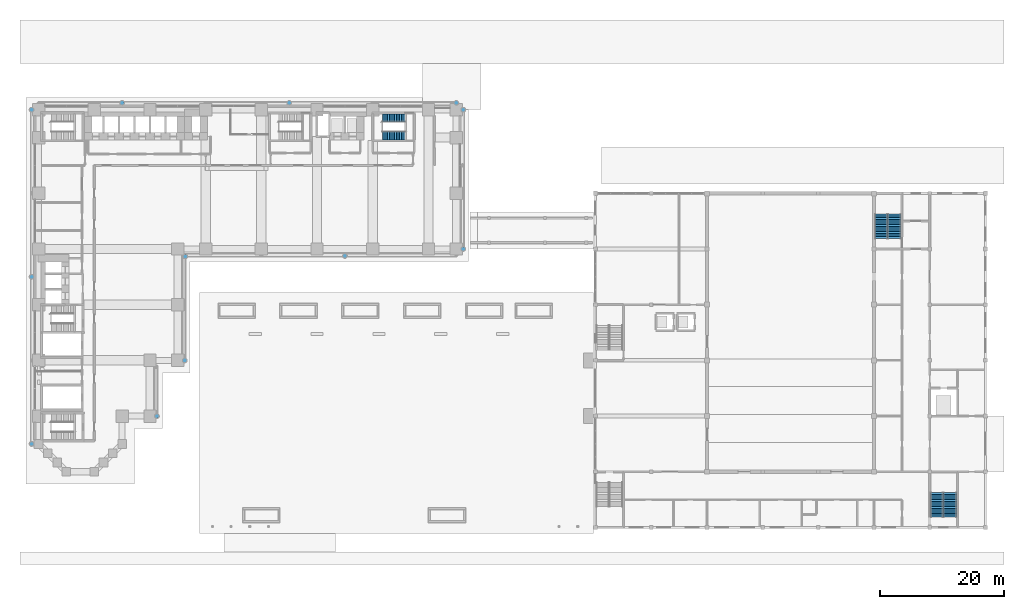
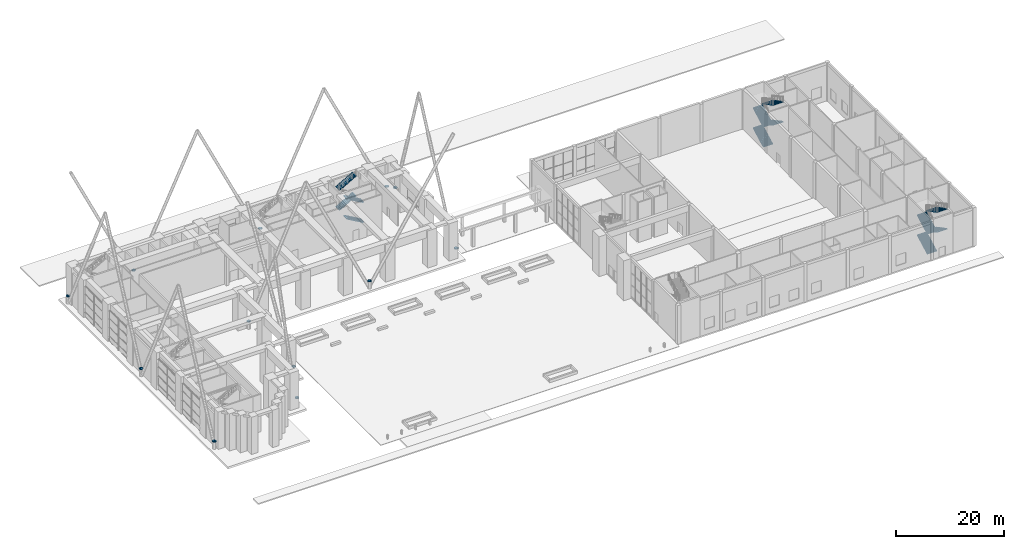
# One storey, part 37 of 44: 12 discrete accessories, 12 stair flights, 3 elements without a shape of their own.
"""IFC4 building model written with IfcOpenShell, lengths in metres."""

from ifc_helpers import new_model, si_unit, direction, frame, origin, origin_2d, place, context, subcontext, project, spatial, polyline, circle, outline, extrude, material, layer, layer_set, material_profile, profile_set, type_object, element, aggregate, save


model = new_model("IFC4")

# Units and contexts
model_context = context("Model", 3, precision=1e-05, world=origin(), true_north=direction((0.0, 1.0)))
body_context = subcontext(model_context, "Body", "Model", "MODEL_VIEW")
ifc_project = project(units=[si_unit("LENGTHUNIT", "METRE"), si_unit("AREAUNIT", "SQUARE_METRE"), si_unit("VOLUMEUNIT", "CUBIC_METRE"), si_unit("PLANEANGLEUNIT", "RADIAN"), si_unit("MASSUNIT", "GRAM", prefix="KILO")], contexts=[model_context])

# Site, building, storey
site_placement = place(None, origin())
site = spatial("IfcSite", under=ifc_project, at=site_placement, CompositionType="ELEMENT")
building_placement = place(site_placement, origin())
building = spatial("IfcBuilding", under=site, at=building_placement, Name="Firuza Court", CompositionType="ELEMENT")
storey_placement = place(building_placement, origin())
storey = spatial("IfcBuildingStorey", under=building, at=storey_placement, Name="L00", CompositionType="ELEMENT", Elevation=0.0)

# Stair, stair flights
ifc_material_1 = material(Name="Concrete C40/50 precast", Category="concrete")
stair_type_1 = type_object("IfcStairType", Name="Stair 1350 x 9000 4 flights", PredefinedType="QUARTER_TURN_STAIR", material=ifc_material_1)
stair_1_placement = place(storey_placement, origin())
stair_1 = element("IfcStair", 1, at=stair_1_placement, inside=storey, type_object=stair_type_1, Name="Stair 4 L00", PredefinedType="QUARTER_TURN_STAIR")
ifc_material_2 = material(Name="Concrete C40/50 precast", Category="concrete")
stair_flight_type_1 = type_object("IfcStairFlightType", Name="Flight 1350 riser 160.7", PredefinedType="STRAIGHT", material=ifc_material_2)
stair_flight_1_placement = place(storey_placement, frame((59.199951171875, 54.324951171875, 0.0), z_axis=(0.0, 0.0, 1.0), x_axis=(-1.0, 0.0, 0.0)))
stair_flight_1 = element("IfcStairFlight", 2, at=stair_flight_1_placement, type_object=stair_flight_type_1, Name="S4 flight 1", NumberOfRisers=14, NumberOfTreads=13, PredefinedType="STRAIGHT", RiserHeight=0.160714286, TreadLength=0.28, context=body_context, shape_type="SweptSolid", body=[
    extrude(outline(polyline([(0.0, 0.0), (0.0, 0.16064453125), (0.280029296875, 0.16064453125), (0.280029296875, 0.321533203125), (0.56005859375, 0.321533203125), (0.56005859375, 0.482177734375), (0.840087890625, 0.482177734375), (0.840087890625, 0.642822265625), (1.1201171875, 0.642822265625), (1.1201171875, 0.803466796875), (1.39990234375, 0.803466796875), (1.39990234375, 0.96435546875), (1.679931640625, 0.96435546875), (1.679931640625, 1.125), (1.9599609375, 1.125), (1.9599609375, 1.28564453125), (2.239990234375, 1.28564453125), (2.239990234375, 1.446533203125), (2.52001953125, 1.446533203125), (2.52001953125, 1.607177734375), (2.800048828125, 1.607177734375), (2.800048828125, 1.767822265625), (3.080078125, 1.767822265625), (3.080078125, 1.928466796875), (3.360107421875, 1.928466796875), (3.360107421875, 2.08935546875), (3.639892578125, 2.08935546875), (3.639892578125, 2.25), (3.639892578125, 1.91650390625), (0.301025390625, 0.0), (0.0, 0.0)])), frame((0.0, 0.675048828125, 0.0), z_axis=(0.0, -1.0, 0.0), x_axis=(1.0, 0.0, 0.0)), (0.0, 0.0, 1.0), 1.35009765625),
])
stair_flight_2_placement = place(storey_placement, frame((55.56005859375, 57.175048828125, 2.25), z_axis=(0.0, 0.0, 1.0), x_axis=(1.0, 0.0, 0.0)))
stair_flight_2 = element("IfcStairFlight", 3, at=stair_flight_2_placement, type_object=stair_flight_type_1, Name="S4 flight 2", NumberOfRisers=14, NumberOfTreads=13, PredefinedType="STRAIGHT", RiserHeight=0.160714286, TreadLength=0.28, context=body_context, shape_type="SweptSolid", body=[
    extrude(outline(polyline([(0.0, 0.0), (0.0, 0.16064453125), (0.280029296875, 0.16064453125), (0.280029296875, 0.321533203125), (0.56005859375, 0.321533203125), (0.56005859375, 0.482177734375), (0.840087890625, 0.482177734375), (0.840087890625, 0.642822265625), (1.1201171875, 0.642822265625), (1.1201171875, 0.803466796875), (1.39990234375, 0.803466796875), (1.39990234375, 0.96435546875), (1.679931640625, 0.96435546875), (1.679931640625, 1.125), (1.9599609375, 1.125), (1.9599609375, 1.28564453125), (2.239990234375, 1.28564453125), (2.239990234375, 1.446533203125), (2.52001953125, 1.446533203125), (2.52001953125, 1.607177734375), (2.800048828125, 1.607177734375), (2.800048828125, 1.767822265625), (3.080078125, 1.767822265625), (3.080078125, 1.928466796875), (3.360107421875, 1.928466796875), (3.360107421875, 2.08935546875), (3.639892578125, 2.08935546875), (3.639892578125, 2.25), (3.639892578125, 1.91650390625), (0.301025390625, 0.0), (0.0, 0.0)])), frame((0.0, 0.675048828125, 0.0), z_axis=(0.0, -1.0, 0.0), x_axis=(1.0, 0.0, 0.0)), (0.0, 0.0, 1.0), 1.35009765625),
])
stair_flight_3_placement = place(storey_placement, frame((59.199951171875, 54.324951171875, 4.5), z_axis=(0.0, 0.0, 1.0), x_axis=(-1.0, 0.0, 0.0)))
stair_flight_3 = element("IfcStairFlight", 4, at=stair_flight_3_placement, type_object=stair_flight_type_1, Name="S4 flight 3", NumberOfRisers=14, NumberOfTreads=13, PredefinedType="STRAIGHT", RiserHeight=0.160714286, TreadLength=0.28, context=body_context, shape_type="SweptSolid", body=[
    extrude(outline(polyline([(0.0, 0.0), (0.0, 0.16064453125), (0.280029296875, 0.16064453125), (0.280029296875, 0.321533203125), (0.56005859375, 0.321533203125), (0.56005859375, 0.482177734375), (0.840087890625, 0.482177734375), (0.840087890625, 0.642822265625), (1.1201171875, 0.642822265625), (1.1201171875, 0.803466796875), (1.39990234375, 0.803466796875), (1.39990234375, 0.96435546875), (1.679931640625, 0.96435546875), (1.679931640625, 1.125), (1.9599609375, 1.125), (1.9599609375, 1.28564453125), (2.239990234375, 1.28564453125), (2.239990234375, 1.446533203125), (2.52001953125, 1.446533203125), (2.52001953125, 1.607177734375), (2.800048828125, 1.607177734375), (2.800048828125, 1.767822265625), (3.080078125, 1.767822265625), (3.080078125, 1.928466796875), (3.360107421875, 1.928466796875), (3.360107421875, 2.08935546875), (3.639892578125, 2.08935546875), (3.639892578125, 2.25), (3.639892578125, 1.91650390625), (0.301025390625, 0.0), (0.0, 0.0)])), frame((0.0, 0.675048828125, 0.0), z_axis=(0.0, -1.0, 0.0), x_axis=(1.0, 0.0, 0.0)), (0.0, 0.0, 1.0), 1.35009765625),
])
stair_flight_4_placement = place(storey_placement, frame((55.56005859375, 57.175048828125, 6.75), z_axis=(0.0, 0.0, 1.0), x_axis=(1.0, 0.0, 0.0)))
stair_flight_4 = element("IfcStairFlight", 5, at=stair_flight_4_placement, type_object=stair_flight_type_1, Name="S4 flight 4", NumberOfRisers=14, NumberOfTreads=13, PredefinedType="STRAIGHT", RiserHeight=0.160714286, TreadLength=0.28, context=body_context, shape_type="SweptSolid", body=[
    extrude(outline(polyline([(0.0, 0.0), (0.0, 0.16064453125), (0.280029296875, 0.16064453125), (0.280029296875, 0.321533203125), (0.56005859375, 0.321533203125), (0.56005859375, 0.482177734375), (0.840087890625, 0.482177734375), (0.840087890625, 0.642822265625), (1.1201171875, 0.642822265625), (1.1201171875, 0.803466796875), (1.39990234375, 0.803466796875), (1.39990234375, 0.96435546875), (1.679931640625, 0.96435546875), (1.679931640625, 1.125), (1.9599609375, 1.125), (1.9599609375, 1.28564453125), (2.239990234375, 1.28564453125), (2.239990234375, 1.446533203125), (2.52001953125, 1.446533203125), (2.52001953125, 1.607177734375), (2.800048828125, 1.607177734375), (2.800048828125, 1.767822265625), (3.080078125, 1.767822265625), (3.080078125, 1.928466796875), (3.360107421875, 1.928466796875), (3.360107421875, 2.08935546875), (3.639892578125, 2.08935546875), (3.639892578125, 2.25), (3.639892578125, 1.91650390625), (0.301025390625, 0.0), (0.0, 0.0)])), frame((0.0, 0.675048828125, 0.0), z_axis=(0.0, -1.0, 0.0), x_axis=(1.0, 0.0, 0.0)), (0.0, 0.0, 1.0), 1.35009765625),
])
aggregate(stair_1, [stair_flight_1, stair_flight_2, stair_flight_3, stair_flight_4])

ifc_material_3 = material(Name="Concrete C40/50", Category="concrete")
stair_type_2 = type_object("IfcStairType", Name="HALL STAIR", PredefinedType="NOTDEFINED", material=ifc_material_3)
stair_2_placement = place(storey_placement, origin())
stair_2 = element("IfcStair", 6, at=stair_2_placement, inside=storey, type_object=stair_type_2, Name="Stair H2 L00", PredefinedType="NOTDEFINED")
ifc_material_4 = material(Name="Concrete C40/50", Category="concrete")
ifc_layer = layer(ifc_material_4, 0.14990234375)
ifc_layer_set = layer_set([ifc_layer], Name="Concrete C40/50")
stair_flight_type_2 = type_object("IfcStairFlightType", Name="HALL STAIR FLIGHT", PredefinedType="STRAIGHT", material=ifc_layer_set)
stair_flight_5_placement = place(storey_placement, frame((145.16259765625, -7.300048828125, 0.0), z_axis=(0.0, 0.0, 1.0), x_axis=(0.0, 1.0, 0.0)))
stair_flight_5 = element("IfcStairFlight", 7, at=stair_flight_5_placement, type_object=stair_flight_type_2, Name="HS-2 flight 1", NumberOfRisers=15, NumberOfTreads=14, PredefinedType="STRAIGHT", RiserHeight=0.15, TreadLength=0.28, context=body_context, shape_type="SweptSolid", body=[
    extrude(outline(polyline([(0.0, 0.0), (0.0, 0.14990234375), (0.280029296875, 0.14990234375), (0.280029296875, 0.300048828125), (0.56005859375, 0.300048828125), (0.56005859375, 0.449951171875), (0.840087890625, 0.449951171875), (0.840087890625, 0.60009765625), (1.1201171875, 0.60009765625), (1.1201171875, 0.75), (1.39990234375, 0.75), (1.39990234375, 0.89990234375), (1.679931640625, 0.89990234375), (1.679931640625, 1.050048828125), (1.9599609375, 1.050048828125), (1.9599609375, 1.199951171875), (2.239990234375, 1.199951171875), (2.239990234375, 1.35009765625), (2.52001953125, 1.35009765625), (2.52001953125, 1.5), (2.800048828125, 1.5), (2.800048828125, 1.64990234375), (3.080078125, 1.64990234375), (3.080078125, 1.800048828125), (3.360107421875, 1.800048828125), (3.360107421875, 1.949951171875), (3.639892578125, 1.949951171875), (3.639892578125, 2.10009765625), (3.919921875, 2.10009765625), (3.919921875, 2.25), (3.919921875, 1.929931640625), (0.3173828125, 0.0), (0.0, 0.0)])), frame((0.0, 1.03759765625, 0.0), z_axis=(0.0, -1.0, 0.0), x_axis=(1.0, 0.0, 0.0)), (0.0, 0.0, 1.0), 2.074951171875),
])
stair_flight_6_placement = place(storey_placement, frame((147.28759765625, -3.3798828125, 2.25), z_axis=(0.0, 0.0, 1.0), x_axis=(0.0, -1.0, 0.0)))
stair_flight_6 = element("IfcStairFlight", 8, at=stair_flight_6_placement, type_object=stair_flight_type_2, Name="HS-2 flight 2", NumberOfRisers=15, NumberOfTreads=14, PredefinedType="STRAIGHT", RiserHeight=0.15, TreadLength=0.28, context=body_context, shape_type="SweptSolid", body=[
    extrude(outline(polyline([(0.0, 0.0), (0.0, 0.14990234375), (0.280029296875, 0.14990234375), (0.280029296875, 0.300048828125), (0.56005859375, 0.300048828125), (0.56005859375, 0.449951171875), (0.840087890625, 0.449951171875), (0.840087890625, 0.60009765625), (1.1201171875, 0.60009765625), (1.1201171875, 0.75), (1.39990234375, 0.75), (1.39990234375, 0.89990234375), (1.679931640625, 0.89990234375), (1.679931640625, 1.050048828125), (1.9599609375, 1.050048828125), (1.9599609375, 1.199951171875), (2.239990234375, 1.199951171875), (2.239990234375, 1.35009765625), (2.52001953125, 1.35009765625), (2.52001953125, 1.5), (2.800048828125, 1.5), (2.800048828125, 1.64990234375), (3.080078125, 1.64990234375), (3.080078125, 1.800048828125), (3.360107421875, 1.800048828125), (3.360107421875, 1.949951171875), (3.639892578125, 1.949951171875), (3.639892578125, 2.10009765625), (3.919921875, 2.10009765625), (3.919921875, 2.25), (3.919921875, 1.929931640625), (0.3173828125, 0.0), (0.0, 0.0)])), frame((0.0, 1.08740234375, 0.0), z_axis=(0.0, -1.0, 0.0), x_axis=(1.0, 0.0, 0.0)), (0.0, 0.0, 1.0), 2.175048828125),
])
stair_flight_7_placement = place(storey_placement, frame((145.16259765625, -7.300048828125, 4.5), z_axis=(0.0, 0.0, 1.0), x_axis=(0.0, 1.0, 0.0)))
stair_flight_7 = element("IfcStairFlight", 9, at=stair_flight_7_placement, type_object=stair_flight_type_2, Name="HS-2 flight 3", NumberOfRisers=15, NumberOfTreads=14, PredefinedType="STRAIGHT", RiserHeight=0.15, TreadLength=0.28, context=body_context, shape_type="SweptSolid", body=[
    extrude(outline(polyline([(0.0, 0.0), (0.0, 0.14990234375), (0.280029296875, 0.14990234375), (0.280029296875, 0.300048828125), (0.56005859375, 0.300048828125), (0.56005859375, 0.449951171875), (0.840087890625, 0.449951171875), (0.840087890625, 0.60009765625), (1.1201171875, 0.60009765625), (1.1201171875, 0.75), (1.39990234375, 0.75), (1.39990234375, 0.89990234375), (1.679931640625, 0.89990234375), (1.679931640625, 1.050048828125), (1.9599609375, 1.050048828125), (1.9599609375, 1.199951171875), (2.239990234375, 1.199951171875), (2.239990234375, 1.35009765625), (2.52001953125, 1.35009765625), (2.52001953125, 1.5), (2.800048828125, 1.5), (2.800048828125, 1.64990234375), (3.080078125, 1.64990234375), (3.080078125, 1.800048828125), (3.360107421875, 1.800048828125), (3.360107421875, 1.949951171875), (3.639892578125, 1.949951171875), (3.639892578125, 2.10009765625), (3.919921875, 2.10009765625), (3.919921875, 2.25), (3.919921875, 1.929931640625), (0.3173828125, 0.0), (0.0, 0.0)])), frame((0.0, 1.03759765625, 0.0), z_axis=(0.0, -1.0, 0.0), x_axis=(1.0, 0.0, 0.0)), (0.0, 0.0, 1.0), 2.074951171875),
])
stair_flight_8_placement = place(storey_placement, frame((147.28759765625, -3.3798828125, 6.75), z_axis=(0.0, 0.0, 1.0), x_axis=(0.0, -1.0, 0.0)))
stair_flight_8 = element("IfcStairFlight", 10, at=stair_flight_8_placement, type_object=stair_flight_type_2, Name="HS-2 flight 4", NumberOfRisers=15, NumberOfTreads=14, PredefinedType="STRAIGHT", RiserHeight=0.15, TreadLength=0.28, context=body_context, shape_type="SweptSolid", body=[
    extrude(outline(polyline([(0.0, 0.0), (0.0, 0.14990234375), (0.280029296875, 0.14990234375), (0.280029296875, 0.300048828125), (0.56005859375, 0.300048828125), (0.56005859375, 0.449951171875), (0.840087890625, 0.449951171875), (0.840087890625, 0.60009765625), (1.1201171875, 0.60009765625), (1.1201171875, 0.75), (1.39990234375, 0.75), (1.39990234375, 0.89990234375), (1.679931640625, 0.89990234375), (1.679931640625, 1.050048828125), (1.9599609375, 1.050048828125), (1.9599609375, 1.199951171875), (2.239990234375, 1.199951171875), (2.239990234375, 1.35009765625), (2.52001953125, 1.35009765625), (2.52001953125, 1.5), (2.800048828125, 1.5), (2.800048828125, 1.64990234375), (3.080078125, 1.64990234375), (3.080078125, 1.800048828125), (3.360107421875, 1.800048828125), (3.360107421875, 1.949951171875), (3.639892578125, 1.949951171875), (3.639892578125, 2.10009765625), (3.919921875, 2.10009765625), (3.919921875, 2.25), (3.919921875, 1.929931640625), (0.3173828125, 0.0), (0.0, 0.0)])), frame((0.0, 1.08740234375, 0.0), z_axis=(0.0, -1.0, 0.0), x_axis=(1.0, 0.0, 0.0)), (0.0, 0.0, 1.0), 2.175048828125),
])
aggregate(stair_2, [stair_flight_5, stair_flight_6, stair_flight_7, stair_flight_8])

stair_3_placement = place(storey_placement, origin())
stair_3 = element("IfcStair", 11, at=stair_3_placement, inside=storey, type_object=stair_type_2, Name="Stair H4 L00", PredefinedType="NOTDEFINED")
stair_flight_9_placement = place(storey_placement, frame((136.16259765625, 37.699951171875, 0.0), z_axis=(0.0, 0.0, 1.0), x_axis=(0.0, 1.0, 0.0)))
stair_flight_9 = element("IfcStairFlight", 12, at=stair_flight_9_placement, type_object=stair_flight_type_2, Name="HS-4 flight 1", NumberOfRisers=15, NumberOfTreads=14, PredefinedType="STRAIGHT", RiserHeight=0.15, TreadLength=0.28, context=body_context, shape_type="SweptSolid", body=[
    extrude(outline(polyline([(0.0, 0.0), (0.0, 0.14990234375), (0.280029296875, 0.14990234375), (0.280029296875, 0.300048828125), (0.56005859375, 0.300048828125), (0.56005859375, 0.449951171875), (0.840087890625, 0.449951171875), (0.840087890625, 0.60009765625), (1.1201171875, 0.60009765625), (1.1201171875, 0.75), (1.39990234375, 0.75), (1.39990234375, 0.89990234375), (1.679931640625, 0.89990234375), (1.679931640625, 1.050048828125), (1.9599609375, 1.050048828125), (1.9599609375, 1.199951171875), (2.239990234375, 1.199951171875), (2.239990234375, 1.35009765625), (2.52001953125, 1.35009765625), (2.52001953125, 1.5), (2.800048828125, 1.5), (2.800048828125, 1.64990234375), (3.080078125, 1.64990234375), (3.080078125, 1.800048828125), (3.360107421875, 1.800048828125), (3.360107421875, 1.949951171875), (3.639892578125, 1.949951171875), (3.639892578125, 2.10009765625), (3.919921875, 2.10009765625), (3.919921875, 2.25), (3.919921875, 1.929931640625), (0.3173828125, 0.0), (0.0, 0.0)])), frame((0.0, 1.03759765625, 0.0), z_axis=(0.0, -1.0, 0.0), x_axis=(1.0, 0.0, 0.0)), (0.0, 0.0, 1.0), 2.074951171875),
])
stair_flight_10_placement = place(storey_placement, frame((138.28759765625, 41.6201171875, 2.25), z_axis=(0.0, 0.0, 1.0), x_axis=(0.0, -1.0, 0.0)))
stair_flight_10 = element("IfcStairFlight", 13, at=stair_flight_10_placement, type_object=stair_flight_type_2, Name="HS-4 flight 2", NumberOfRisers=15, NumberOfTreads=14, PredefinedType="STRAIGHT", RiserHeight=0.15, TreadLength=0.28, context=body_context, shape_type="SweptSolid", body=[
    extrude(outline(polyline([(0.0, 0.0), (0.0, 0.14990234375), (0.280029296875, 0.14990234375), (0.280029296875, 0.300048828125), (0.56005859375, 0.300048828125), (0.56005859375, 0.449951171875), (0.840087890625, 0.449951171875), (0.840087890625, 0.60009765625), (1.1201171875, 0.60009765625), (1.1201171875, 0.75), (1.39990234375, 0.75), (1.39990234375, 0.89990234375), (1.679931640625, 0.89990234375), (1.679931640625, 1.050048828125), (1.9599609375, 1.050048828125), (1.9599609375, 1.199951171875), (2.239990234375, 1.199951171875), (2.239990234375, 1.35009765625), (2.52001953125, 1.35009765625), (2.52001953125, 1.5), (2.800048828125, 1.5), (2.800048828125, 1.64990234375), (3.080078125, 1.64990234375), (3.080078125, 1.800048828125), (3.360107421875, 1.800048828125), (3.360107421875, 1.949951171875), (3.639892578125, 1.949951171875), (3.639892578125, 2.10009765625), (3.919921875, 2.10009765625), (3.919921875, 2.25), (3.919921875, 1.929931640625), (0.3173828125, 0.0), (0.0, 0.0)])), frame((0.0, 1.08740234375, 0.0), z_axis=(0.0, -1.0, 0.0), x_axis=(1.0, 0.0, 0.0)), (0.0, 0.0, 1.0), 2.175048828125),
])
stair_flight_11_placement = place(storey_placement, frame((136.16259765625, 37.699951171875, 4.5), z_axis=(0.0, 0.0, 1.0), x_axis=(0.0, 1.0, 0.0)))
stair_flight_11 = element("IfcStairFlight", 14, at=stair_flight_11_placement, type_object=stair_flight_type_2, Name="HS-4 flight 3", NumberOfRisers=15, NumberOfTreads=14, PredefinedType="STRAIGHT", RiserHeight=0.15, TreadLength=0.28, context=body_context, shape_type="SweptSolid", body=[
    extrude(outline(polyline([(0.0, 0.0), (0.0, 0.14990234375), (0.280029296875, 0.14990234375), (0.280029296875, 0.300048828125), (0.56005859375, 0.300048828125), (0.56005859375, 0.449951171875), (0.840087890625, 0.449951171875), (0.840087890625, 0.60009765625), (1.1201171875, 0.60009765625), (1.1201171875, 0.75), (1.39990234375, 0.75), (1.39990234375, 0.89990234375), (1.679931640625, 0.89990234375), (1.679931640625, 1.050048828125), (1.9599609375, 1.050048828125), (1.9599609375, 1.199951171875), (2.239990234375, 1.199951171875), (2.239990234375, 1.35009765625), (2.52001953125, 1.35009765625), (2.52001953125, 1.5), (2.800048828125, 1.5), (2.800048828125, 1.64990234375), (3.080078125, 1.64990234375), (3.080078125, 1.800048828125), (3.360107421875, 1.800048828125), (3.360107421875, 1.949951171875), (3.639892578125, 1.949951171875), (3.639892578125, 2.10009765625), (3.919921875, 2.10009765625), (3.919921875, 2.25), (3.919921875, 1.929931640625), (0.3173828125, 0.0), (0.0, 0.0)])), frame((0.0, 1.03759765625, 0.0), z_axis=(0.0, -1.0, 0.0), x_axis=(1.0, 0.0, 0.0)), (0.0, 0.0, 1.0), 2.074951171875),
])
stair_flight_12_placement = place(storey_placement, frame((138.28759765625, 41.6201171875, 6.75), z_axis=(0.0, 0.0, 1.0), x_axis=(0.0, -1.0, 0.0)))
stair_flight_12 = element("IfcStairFlight", 15, at=stair_flight_12_placement, type_object=stair_flight_type_2, Name="HS-4 flight 4", NumberOfRisers=15, NumberOfTreads=14, PredefinedType="STRAIGHT", RiserHeight=0.15, TreadLength=0.28, context=body_context, shape_type="SweptSolid", body=[
    extrude(outline(polyline([(0.0, 0.0), (0.0, 0.14990234375), (0.280029296875, 0.14990234375), (0.280029296875, 0.300048828125), (0.56005859375, 0.300048828125), (0.56005859375, 0.449951171875), (0.840087890625, 0.449951171875), (0.840087890625, 0.60009765625), (1.1201171875, 0.60009765625), (1.1201171875, 0.75), (1.39990234375, 0.75), (1.39990234375, 0.89990234375), (1.679931640625, 0.89990234375), (1.679931640625, 1.050048828125), (1.9599609375, 1.050048828125), (1.9599609375, 1.199951171875), (2.239990234375, 1.199951171875), (2.239990234375, 1.35009765625), (2.52001953125, 1.35009765625), (2.52001953125, 1.5), (2.800048828125, 1.5), (2.800048828125, 1.64990234375), (3.080078125, 1.64990234375), (3.080078125, 1.800048828125), (3.360107421875, 1.800048828125), (3.360107421875, 1.949951171875), (3.639892578125, 1.949951171875), (3.639892578125, 2.10009765625), (3.919921875, 2.10009765625), (3.919921875, 2.25), (3.919921875, 1.929931640625), (0.3173828125, 0.0), (0.0, 0.0)])), frame((0.0, 1.08740234375, 0.0), z_axis=(0.0, -1.0, 0.0), x_axis=(1.0, 0.0, 0.0)), (0.0, 0.0, 1.0), 2.175048828125),
])
aggregate(stair_3, [stair_flight_9, stair_flight_10, stair_flight_11, stair_flight_12])

# Discrete accessories
ifc_material_5 = material(Name="Steel S355", Category="steel")
ifc_material_profile = material_profile(ifc_material_5, circle(Radius=0.35546875, at=origin_2d()), Name="PL D711")
ifc_profile_set = profile_set([ifc_material_profile], Name="Steel S355")
discrete_accessory_type = type_object("IfcDiscreteAccessoryType", Name="DIAGRID NODE END PLATE", PredefinedType="NOTDEFINED", material=ifc_profile_set)
for number, where, z_axis, x_axis, name in (
    (16, (-1.1201171875, 4.5, 1.60009765625), (0.0, 0.0, 1.0), (1.0, 0.0, 0.0), "Diagrid node end plate level L00"),
    (17, (-1.1201171875, 31.5, 1.60009765625), (0.0, 0.0, 1.0), (1.0, 0.0, 0.0), "Diagrid node end plate level L00"),
    (18, (-1.1201171875, 58.5, 1.60009765625), (0.0, 0.0, 1.0), (1.0, 0.0, 0.0), "Diagrid node end plate level L00"),
    (19, (13.5, 59.6201171875, 1.60009765625), (0.0, 0.0, 1.0), (1.0, 0.0, 0.0), "Diagrid node end plate level L00"),
    (20, (19.1201171875, 9.0, 1.60009765625), (0.0, 0.0, 1.0), (1.0, 0.0, 0.0), "Diagrid node end plate level L00"),
    (21, (23.6201171875, 18.0, 1.60009765625), (0.0, 0.0, 1.0), (1.0, 0.0, 0.0), "Diagrid node end plate level L00"),
    (22, (23.7099609375, 34.7900390625, 1.60009765625), (0.0, 0.0, 1.0), (1.0, 0.0, 0.0), "Diagrid node end plate level L00"),
    (23, (40.5, 59.6201171875, 1.60009765625), (0.0, 0.0, 1.0), (1.0, 0.0, 0.0), "Diagrid node end plate level L00"),
    (24, (49.5, 34.8798828125, 1.60009765625), (0.0, 0.0, 1.0), (1.0, 0.0, 0.0), "Diagrid node end plate level L00"),
    (25, (67.5, 59.6201171875, 1.60009765625), (0.0, 0.0, 1.0), (1.0, 0.0, 0.0), "Diagrid node end plate level L00"),
    (26, (68.6201171875, 36.0, 1.60009765625), (0.0, 0.0, 1.0), (1.0, 0.0, 0.0), "Diagrid node end plate level L00"),
    (27, (68.6201171875, 58.5, 1.60009765625), (0.0, 0.0, 1.0), (1.0, 0.0, 0.0), "Diagrid node end plate level L00"),
):
    element("IfcDiscreteAccessory", number, at=place(storey_placement, frame(where, z_axis=z_axis, x_axis=x_axis)), inside=storey, type_object=discrete_accessory_type, Name=name, PredefinedType="NOTDEFINED", context=body_context, shape_type="SweptSolid", body=[
        extrude(circle(Radius=0.35546875, at=origin_2d()), origin(), (0.0, 0.0, 1.0), 0.02978515625),
    ])

save(model, "model.ifc")
